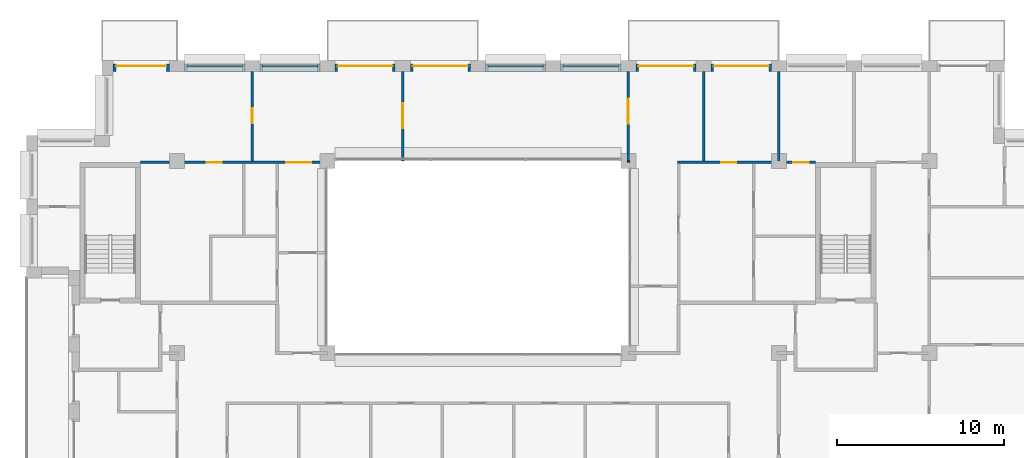
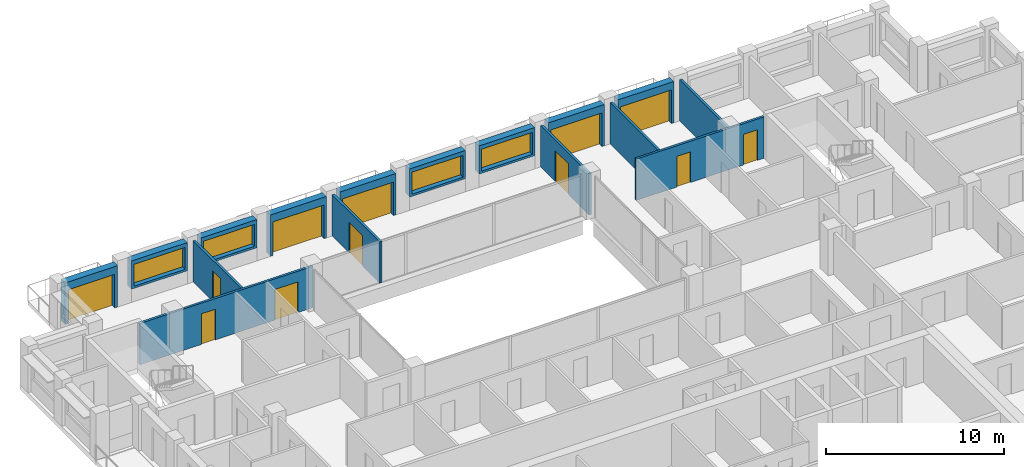
# One storey, part 13 of 15: 17 walls, 12 doors, 4 windows, 16 openings.
"""IFC4 building model written with IfcOpenShell, lengths in metres."""

from ifc_helpers import new_model, si_unit, direction, frame, frame_2d, origin, place, context, subcontext, project, spatial, rectangle, extrude, material, layer, layer_set, type_object, element, fill, save


model = new_model("IFC4")

# Units and contexts
model_context = context("Model", 3, precision=1e-05, world=origin(), true_north=direction((0.0, 1.0)))
body_context = subcontext(model_context, "Body", "Model", "MODEL_VIEW")
ifc_project = project(units=[si_unit("LENGTHUNIT", "METRE"), si_unit("AREAUNIT", "SQUARE_METRE"), si_unit("VOLUMEUNIT", "CUBIC_METRE"), si_unit("PLANEANGLEUNIT", "RADIAN"), si_unit("MASSUNIT", "GRAM", prefix="KILO")], contexts=[model_context])

# Site, building, storey
site_placement = place(None, origin())
site = spatial("IfcSite", under=ifc_project, at=site_placement, CompositionType="ELEMENT")
building_placement = place(site_placement, origin())
building = spatial("IfcBuilding", under=site, at=building_placement, Name="Brigalow Station Residences", CompositionType="ELEMENT")
storey_placement = place(building_placement, frame((0.0, 0.0, 220.050048828125)))
storey = spatial("IfcBuildingStorey", under=building, at=storey_placement, Name="L63", CompositionType="ELEMENT", Elevation=220.050048828125)

# Wall, opening, door
ifc_material_1 = material(Name="Clay brick masonry", Category="masonry")
ifc_layer_1 = layer(ifc_material_1, 0.449951171875)
ifc_layer_set_1 = layer_set([ifc_layer_1], Name="BRICK INFILL WALL 450")
wall_type_1 = type_object("IfcWallType", Name="BRICK INFILL WALL 450", PredefinedType="SOLIDWALL", material=ifc_layer_set_1)
wall_1_placement = place(storey_placement, frame((53.550048828125, 41.074951171875, 0.0), z_axis=(0.0, 0.0, 1.0), x_axis=(-1.0, 0.0, 0.0)))
wall_1 = element("IfcWall", 1, at=wall_1_placement, inside=storey, type_object=wall_type_1, Name="L63/ewall/W-L63-23", PredefinedType="SOLIDWALL", context=body_context, shape_type="SweptSolid", body=[
    extrude(rectangle(XDim=3.60009765625, YDim=0.449951171875, at=frame_2d((1.800048828125, 0.0))), origin(), (0.0, 0.0, 1.0), 2.829833984375),
])
opening_1_placement = place(wall_1_placement, frame((0.14990234375, 0.0, 0.0)))
opening_1 = element("IfcOpeningElement", 2, at=opening_1_placement, cuts=wall_1, Name="Opening D-B3300", PredefinedType="OPENING", context=body_context, shape_type="SweptSolid", body=[
    extrude(rectangle(XDim=3.300048828125, YDim=2.300048828125, at=frame_2d((1.64990234375, 1.14990234375))), frame((0.0, 0.23486328125, 0.0), z_axis=(0.0, -1.0, 0.0), x_axis=(1.0, 0.0, 0.0)), (0.0, 0.0, 1.0), 0.469970703125),
])
ifc_material_2 = material(Name="Anodised aluminium frame with double glazing", Category="aluminium")
door_type_1 = type_object("IfcDoorType", Name="BALCONY SLIDING DOOR 3300x2300", OperationType="SLIDING_TO_LEFT", PredefinedType="DOOR", material=ifc_material_2)
door_1_placement = place(opening_1_placement, origin())
door_1 = element("IfcDoor", 3, at=door_1_placement, inside=storey, type_object=door_type_1, Name="L63/balcony-door/W-L63-23", OperationType="SLIDING_TO_LEFT", OverallHeight=2.300048828125, OverallWidth=3.300048828125, PredefinedType="DOOR", context=body_context, shape_type="SweptSolid", body=[
    extrude(rectangle(XDim=3.300048828125, YDim=2.300048828125, at=frame_2d((1.64990234375, 1.14990234375))), frame((0.0, -0.06982421875, 0.0), z_axis=(0.0, -1.0, 0.0), x_axis=(1.0, 0.0, 0.0)), (0.0, 0.0, 1.0), 0.050048828125),
])
fill(opening_1, door_1)

wall_2_placement = place(storey_placement, frame((49.050048828125, 41.074951171875, 0.0), z_axis=(0.0, 0.0, 1.0), x_axis=(-1.0, 0.0, 0.0)))
wall_2 = element("IfcWall", 4, at=wall_2_placement, inside=storey, type_object=wall_type_1, Name="L63/ewall/W-L63-24", PredefinedType="SOLIDWALL", context=body_context, shape_type="SweptSolid", body=[
    extrude(rectangle(XDim=3.60009765625, YDim=0.449951171875, at=frame_2d((1.800048828125, 0.0))), origin(), (0.0, 0.0, 1.0), 2.829833984375),
])
opening_2_placement = place(wall_2_placement, frame((0.14990234375, 0.0, 0.0)))
opening_2 = element("IfcOpeningElement", 5, at=opening_2_placement, cuts=wall_2, Name="Opening D-B3300", PredefinedType="OPENING", context=body_context, shape_type="SweptSolid", body=[
    extrude(rectangle(XDim=3.300048828125, YDim=2.300048828125, at=frame_2d((1.64990234375, 1.14990234375))), frame((0.0, 0.23486328125, 0.0), z_axis=(0.0, -1.0, 0.0), x_axis=(1.0, 0.0, 0.0)), (0.0, 0.0, 1.0), 0.469970703125),
])
door_2_placement = place(opening_2_placement, origin())
door_2 = element("IfcDoor", 6, at=door_2_placement, inside=storey, type_object=door_type_1, Name="L63/balcony-door/W-L63-24", OperationType="SLIDING_TO_LEFT", OverallHeight=2.300048828125, OverallWidth=3.300048828125, PredefinedType="DOOR", context=body_context, shape_type="SweptSolid", body=[
    extrude(rectangle(XDim=3.300048828125, YDim=2.300048828125, at=frame_2d((1.64990234375, 1.14990234375))), frame((0.0, -0.06982421875, 0.0), z_axis=(0.0, -1.0, 0.0), x_axis=(1.0, 0.0, 0.0)), (0.0, 0.0, 1.0), 0.050048828125),
])
fill(opening_2, door_2)

# Wall, opening, window
wall_3_placement = place(storey_placement, frame((44.550048828125, 41.074951171875, 0.89990234375), z_axis=(0.0, 0.0, 1.0), x_axis=(-1.0, 0.0, 0.0)))
wall_3 = element("IfcWall", 7, at=wall_3_placement, inside=storey, type_object=wall_type_1, Name="L63/ewall/W-L63-25", PredefinedType="SOLIDWALL", context=body_context, shape_type="SweptSolid", body=[
    extrude(rectangle(XDim=3.60009765625, YDim=0.449951171875, at=frame_2d((1.800048828125, 0.0))), origin(), (0.0, 0.0, 1.0), 1.929931640625),
])
opening_3_placement = place(wall_3_placement, frame((0.14990234375, 0.0, 0.14990234375)))
opening_3 = element("IfcOpeningElement", 8, at=opening_3_placement, cuts=wall_3, Name="Opening WT-10", PredefinedType="OPENING", context=body_context, shape_type="SweptSolid", body=[
    extrude(rectangle(XDim=3.300048828125, YDim=1.5, at=frame_2d((1.64990234375, 0.75))), frame((0.0, 0.23486328125, 0.0), z_axis=(0.0, -1.0, 0.0), x_axis=(1.0, 0.0, 0.0)), (0.0, 0.0, 1.0), 0.469970703125),
])
ifc_material_3 = material(Name="Anodised aluminium frame with double glazing", Category="aluminium")
window_type = type_object("IfcWindowType", Name="WINDOW 3300x1500", PartitioningType="SINGLE_PANEL", PredefinedType="WINDOW", material=ifc_material_3)
window_1_placement = place(opening_3_placement, origin())
window_1 = element("IfcWindow", 9, at=window_1_placement, inside=storey, type_object=window_type, Name="L63/window/W-L63-25", OverallHeight=1.5, OverallWidth=3.300048828125, PartitioningType="SINGLE_PANEL", PredefinedType="WINDOW", context=body_context, shape_type="SweptSolid", body=[
    extrude(rectangle(XDim=3.300048828125, YDim=1.5, at=frame_2d((1.64990234375, 0.75))), frame((0.0, -0.06494140625, 0.0), z_axis=(0.0, -1.0, 0.0), x_axis=(1.0, 0.0, 0.0)), (0.0, 0.0, 1.0), 0.06005859375),
])
fill(opening_3, window_1)

wall_4_placement = place(storey_placement, frame((40.050048828125, 41.074951171875, 0.89990234375), z_axis=(0.0, 0.0, 1.0), x_axis=(-1.0, 0.0, 0.0)))
wall_4 = element("IfcWall", 10, at=wall_4_placement, inside=storey, type_object=wall_type_1, Name="L63/ewall/W-L63-26", PredefinedType="SOLIDWALL", context=body_context, shape_type="SweptSolid", body=[
    extrude(rectangle(XDim=3.60009765625, YDim=0.449951171875, at=frame_2d((1.800048828125, 0.0))), origin(), (0.0, 0.0, 1.0), 1.929931640625),
])
opening_4_placement = place(wall_4_placement, frame((0.14990234375, 0.0, 0.14990234375)))
opening_4 = element("IfcOpeningElement", 11, at=opening_4_placement, cuts=wall_4, Name="Opening WT-10", PredefinedType="OPENING", context=body_context, shape_type="SweptSolid", body=[
    extrude(rectangle(XDim=3.300048828125, YDim=1.5, at=frame_2d((1.64990234375, 0.75))), frame((0.0, 0.23486328125, 0.0), z_axis=(0.0, -1.0, 0.0), x_axis=(1.0, 0.0, 0.0)), (0.0, 0.0, 1.0), 0.469970703125),
])
window_2_placement = place(opening_4_placement, origin())
window_2 = element("IfcWindow", 12, at=window_2_placement, inside=storey, type_object=window_type, Name="L63/window/W-L63-26", OverallHeight=1.5, OverallWidth=3.300048828125, PartitioningType="SINGLE_PANEL", PredefinedType="WINDOW", context=body_context, shape_type="SweptSolid", body=[
    extrude(rectangle(XDim=3.300048828125, YDim=1.5, at=frame_2d((1.64990234375, 0.75))), frame((0.0, -0.06494140625, 0.0), z_axis=(0.0, -1.0, 0.0), x_axis=(1.0, 0.0, 0.0)), (0.0, 0.0, 1.0), 0.06005859375),
])
fill(opening_4, window_2)

# Wall, opening, door
wall_5_placement = place(storey_placement, frame((35.550048828125, 41.074951171875, 0.0), z_axis=(0.0, 0.0, 1.0), x_axis=(-1.0, 0.0, 0.0)))
wall_5 = element("IfcWall", 13, at=wall_5_placement, inside=storey, type_object=wall_type_1, Name="L63/ewall/W-L63-27", PredefinedType="SOLIDWALL", context=body_context, shape_type="SweptSolid", body=[
    extrude(rectangle(XDim=3.60009765625, YDim=0.449951171875, at=frame_2d((1.800048828125, 0.0))), origin(), (0.0, 0.0, 1.0), 2.829833984375),
])
opening_5_placement = place(wall_5_placement, frame((0.14990234375, 0.0, 0.0)))
opening_5 = element("IfcOpeningElement", 14, at=opening_5_placement, cuts=wall_5, Name="Opening D-B3300", PredefinedType="OPENING", context=body_context, shape_type="SweptSolid", body=[
    extrude(rectangle(XDim=3.300048828125, YDim=2.300048828125, at=frame_2d((1.64990234375, 1.14990234375))), frame((0.0, 0.23486328125, 0.0), z_axis=(0.0, -1.0, 0.0), x_axis=(1.0, 0.0, 0.0)), (0.0, 0.0, 1.0), 0.469970703125),
])
door_3_placement = place(opening_5_placement, origin())
door_3 = element("IfcDoor", 15, at=door_3_placement, inside=storey, type_object=door_type_1, Name="L63/balcony-door/W-L63-27", OperationType="SLIDING_TO_LEFT", OverallHeight=2.300048828125, OverallWidth=3.300048828125, PredefinedType="DOOR", context=body_context, shape_type="SweptSolid", body=[
    extrude(rectangle(XDim=3.300048828125, YDim=2.300048828125, at=frame_2d((1.64990234375, 1.14990234375))), frame((0.0, -0.06982421875, 0.0), z_axis=(0.0, -1.0, 0.0), x_axis=(1.0, 0.0, 0.0)), (0.0, 0.0, 1.0), 0.050048828125),
])
fill(opening_5, door_3)

wall_6_placement = place(storey_placement, frame((31.050048828125, 41.074951171875, 0.0), z_axis=(0.0, 0.0, 1.0), x_axis=(-1.0, 0.0, 0.0)))
wall_6 = element("IfcWall", 16, at=wall_6_placement, inside=storey, type_object=wall_type_1, Name="L63/ewall/W-L63-28", PredefinedType="SOLIDWALL", context=body_context, shape_type="SweptSolid", body=[
    extrude(rectangle(XDim=3.60009765625, YDim=0.449951171875, at=frame_2d((1.800048828125, 0.0))), origin(), (0.0, 0.0, 1.0), 2.829833984375),
])
opening_6_placement = place(wall_6_placement, frame((0.14990234375, 0.0, 0.0)))
opening_6 = element("IfcOpeningElement", 17, at=opening_6_placement, cuts=wall_6, Name="Opening D-B3300", PredefinedType="OPENING", context=body_context, shape_type="SweptSolid", body=[
    extrude(rectangle(XDim=3.300048828125, YDim=2.300048828125, at=frame_2d((1.64990234375, 1.14990234375))), frame((0.0, 0.23486328125, 0.0), z_axis=(0.0, -1.0, 0.0), x_axis=(1.0, 0.0, 0.0)), (0.0, 0.0, 1.0), 0.469970703125),
])
door_4_placement = place(opening_6_placement, origin())
door_4 = element("IfcDoor", 18, at=door_4_placement, inside=storey, type_object=door_type_1, Name="L63/balcony-door/W-L63-28", OperationType="SLIDING_TO_LEFT", OverallHeight=2.300048828125, OverallWidth=3.300048828125, PredefinedType="DOOR", context=body_context, shape_type="SweptSolid", body=[
    extrude(rectangle(XDim=3.300048828125, YDim=2.300048828125, at=frame_2d((1.64990234375, 1.14990234375))), frame((0.0, -0.06982421875, 0.0), z_axis=(0.0, -1.0, 0.0), x_axis=(1.0, 0.0, 0.0)), (0.0, 0.0, 1.0), 0.050048828125),
])
fill(opening_6, door_4)

# Wall, opening, window
wall_7_placement = place(storey_placement, frame((26.550048828125, 41.074951171875, 0.89990234375), z_axis=(0.0, 0.0, 1.0), x_axis=(-1.0, 0.0, 0.0)))
wall_7 = element("IfcWall", 19, at=wall_7_placement, inside=storey, type_object=wall_type_1, Name="L63/ewall/W-L63-29", PredefinedType="SOLIDWALL", context=body_context, shape_type="SweptSolid", body=[
    extrude(rectangle(XDim=3.60009765625, YDim=0.449951171875, at=frame_2d((1.800048828125, 0.0))), origin(), (0.0, 0.0, 1.0), 1.929931640625),
])
opening_7_placement = place(wall_7_placement, frame((0.14990234375, 0.0, 0.14990234375)))
opening_7 = element("IfcOpeningElement", 20, at=opening_7_placement, cuts=wall_7, Name="Opening WT-10", PredefinedType="OPENING", context=body_context, shape_type="SweptSolid", body=[
    extrude(rectangle(XDim=3.300048828125, YDim=1.5, at=frame_2d((1.64990234375, 0.75))), frame((0.0, 0.23486328125, 0.0), z_axis=(0.0, -1.0, 0.0), x_axis=(1.0, 0.0, 0.0)), (0.0, 0.0, 1.0), 0.469970703125),
])
window_3_placement = place(opening_7_placement, origin())
window_3 = element("IfcWindow", 21, at=window_3_placement, inside=storey, type_object=window_type, Name="L63/window/W-L63-29", OverallHeight=1.5, OverallWidth=3.300048828125, PartitioningType="SINGLE_PANEL", PredefinedType="WINDOW", context=body_context, shape_type="SweptSolid", body=[
    extrude(rectangle(XDim=3.300048828125, YDim=1.5, at=frame_2d((1.64990234375, 0.75))), frame((0.0, -0.06494140625, 0.0), z_axis=(0.0, -1.0, 0.0), x_axis=(1.0, 0.0, 0.0)), (0.0, 0.0, 1.0), 0.06005859375),
])
fill(opening_7, window_3)

wall_8_placement = place(storey_placement, frame((22.050048828125, 41.074951171875, 0.89990234375), z_axis=(0.0, 0.0, 1.0), x_axis=(-1.0, 0.0, 0.0)))
wall_8 = element("IfcWall", 22, at=wall_8_placement, inside=storey, type_object=wall_type_1, Name="L63/ewall/W-L63-30", PredefinedType="SOLIDWALL", context=body_context, shape_type="SweptSolid", body=[
    extrude(rectangle(XDim=3.60009765625, YDim=0.449951171875, at=frame_2d((1.800048828125, 0.0))), origin(), (0.0, 0.0, 1.0), 1.929931640625),
])
opening_8_placement = place(wall_8_placement, frame((0.14990234375, 0.0, 0.14990234375)))
opening_8 = element("IfcOpeningElement", 23, at=opening_8_placement, cuts=wall_8, Name="Opening WT-10", PredefinedType="OPENING", context=body_context, shape_type="SweptSolid", body=[
    extrude(rectangle(XDim=3.300048828125, YDim=1.5, at=frame_2d((1.64990234375, 0.75))), frame((0.0, 0.23486328125, 0.0), z_axis=(0.0, -1.0, 0.0), x_axis=(1.0, 0.0, 0.0)), (0.0, 0.0, 1.0), 0.469970703125),
])
window_4_placement = place(opening_8_placement, origin())
window_4 = element("IfcWindow", 24, at=window_4_placement, inside=storey, type_object=window_type, Name="L63/window/W-L63-30", OverallHeight=1.5, OverallWidth=3.300048828125, PartitioningType="SINGLE_PANEL", PredefinedType="WINDOW", context=body_context, shape_type="SweptSolid", body=[
    extrude(rectangle(XDim=3.300048828125, YDim=1.5, at=frame_2d((1.64990234375, 0.75))), frame((0.0, -0.06494140625, 0.0), z_axis=(0.0, -1.0, 0.0), x_axis=(1.0, 0.0, 0.0)), (0.0, 0.0, 1.0), 0.06005859375),
])
fill(opening_8, window_4)

# Wall, opening, door
wall_9_placement = place(storey_placement, frame((17.550048828125, 41.074951171875, 0.0), z_axis=(0.0, 0.0, 1.0), x_axis=(-1.0, 0.0, 0.0)))
wall_9 = element("IfcWall", 25, at=wall_9_placement, inside=storey, type_object=wall_type_1, Name="L63/ewall/W-L63-31", PredefinedType="SOLIDWALL", context=body_context, shape_type="SweptSolid", body=[
    extrude(rectangle(XDim=3.400146484375, YDim=0.449951171875, at=frame_2d((1.7001953125, 0.0))), origin(), (0.0, 0.0, 1.0), 2.829833984375),
])
opening_9_placement = place(wall_9_placement, frame((0.199951171875, 0.0, 0.0)))
opening_9 = element("IfcOpeningElement", 26, at=opening_9_placement, cuts=wall_9, Name="Opening D-B3000", PredefinedType="OPENING", context=body_context, shape_type="SweptSolid", body=[
    extrude(rectangle(XDim=3.0, YDim=2.300048828125, at=frame_2d((1.5, 1.14990234375))), frame((0.0, 0.23486328125, 0.0), z_axis=(0.0, -1.0, 0.0), x_axis=(1.0, 0.0, 0.0)), (0.0, 0.0, 1.0), 0.469970703125),
])
ifc_material_4 = material(Name="Anodised aluminium frame with double glazing", Category="aluminium")
door_type_2 = type_object("IfcDoorType", Name="BALCONY SLIDING DOOR 3000x2300", OperationType="SLIDING_TO_LEFT", PredefinedType="DOOR", material=ifc_material_4)
door_5_placement = place(opening_9_placement, origin())
door_5 = element("IfcDoor", 27, at=door_5_placement, inside=storey, type_object=door_type_2, Name="L63/balcony-door/W-L63-31", OperationType="SLIDING_TO_LEFT", OverallHeight=2.300048828125, OverallWidth=3.0, PredefinedType="DOOR", context=body_context, shape_type="SweptSolid", body=[
    extrude(rectangle(XDim=3.0, YDim=2.300048828125, at=frame_2d((1.5, 1.14990234375))), frame((0.0, -0.06982421875, 0.0), z_axis=(0.0, -1.0, 0.0), x_axis=(1.0, 0.0, 0.0)), (0.0, 0.0, 1.0), 0.050048828125),
])
fill(opening_9, door_5)

# Wall, openings, doors
ifc_material_5 = material(Name="Plasterboard on steel stud partition", Category="steel")
ifc_layer_2 = layer(ifc_material_5, 0.14990234375)
ifc_layer_set_2 = layer_set([ifc_layer_2], Name="FLAT PARTITION 150")
wall_type_2 = type_object("IfcWallType", Name="FLAT PARTITION 150", PredefinedType="PARTITIONING", material=ifc_layer_set_2)
wall_10_placement = place(storey_placement, frame((15.800048828125, 35.39990234375, 0.0), z_axis=(0.0, 0.0, 1.0), x_axis=(1.0, 0.0, 0.0)))
wall_10 = element("IfcWall", 28, at=wall_10_placement, inside=storey, type_object=wall_type_2, Name="PW-4C14", PredefinedType="PARTITIONING", context=body_context, shape_type="SweptSolid", body=[
    extrude(rectangle(XDim=11.199951171875, YDim=0.14990234375, at=frame_2d((5.60009765625, 0.0))), origin(), (0.0, 0.0, 1.0), 2.829833984375),
])
opening_10_placement = place(wall_10_placement, frame((8.72509765625, 0.0, 0.0)))
opening_10 = element("IfcOpeningElement", 29, at=opening_10_placement, cuts=wall_10, Name="Opening D-4C11", PredefinedType="OPENING", context=body_context, shape_type="SweptSolid", body=[
    extrude(rectangle(XDim=1.5, YDim=2.10009765625, at=frame_2d((0.75, 1.050048828125))), frame((0.0, 0.0849609375, 0.0), z_axis=(0.0, -1.0, 0.0), x_axis=(1.0, 0.0, 0.0)), (0.0, 0.0, 1.0), 0.169921875),
])
opening_11_placement = place(wall_10_placement, frame((3.97509765625, 0.0, 0.0)))
opening_11 = element("IfcOpeningElement", 30, at=opening_11_placement, cuts=wall_10, Name="Opening D-4C12", PredefinedType="OPENING", context=body_context, shape_type="SweptSolid", body=[
    extrude(rectangle(XDim=0.89990234375, YDim=2.10009765625, at=frame_2d((0.449951171875, 1.050048828125))), frame((0.0, 0.0849609375, 0.0), z_axis=(0.0, -1.0, 0.0), x_axis=(1.0, 0.0, 0.0)), (0.0, 0.0, 1.0), 0.169921875),
])
ifc_material_6 = material(Name="Solid-core timber door leaf", Category="wood")
door_type_3 = type_object("IfcDoorType", Name="INTERNAL DOOR 900 x 2100", OperationType="SINGLE_SWING_LEFT", PredefinedType="DOOR", material=ifc_material_6)
door_6_placement = place(opening_11_placement, frame((0.89990234375, 0.0, 0.0), z_axis=(0.0, 0.0, 1.0), x_axis=(-1.0, 0.0, 0.0)))
door_6 = element("IfcDoor", 31, at=door_6_placement, inside=storey, type_object=door_type_3, Name="D-4C12", OperationType="SINGLE_SWING_LEFT", OverallHeight=2.10009765625, OverallWidth=0.89990234375, PredefinedType="DOOR", context=body_context, shape_type="SweptSolid", body=[
    extrude(rectangle(XDim=0.89990234375, YDim=2.10009765625, at=frame_2d((0.449951171875, 1.050048828125))), frame((0.0, 0.02490234375, 0.0), z_axis=(0.0, -1.0, 0.0), x_axis=(1.0, 0.0, 0.0)), (0.0, 0.0, 1.0), 0.050048828125),
])
fill(opening_11, door_6)
ifc_material_7 = material(Name="Solid-core timber door leaf", Category="wood")
door_type_4 = type_object("IfcDoorType", Name="INTERNAL DOUBLE DOOR 1500 x 2100", OperationType="DOUBLE_DOOR_SINGLE_SWING", PredefinedType="DOOR", material=ifc_material_7)
door_7_placement = place(opening_10_placement, origin())
door_7 = element("IfcDoor", 32, at=door_7_placement, inside=storey, type_object=door_type_4, Name="D-4C11", OperationType="DOUBLE_DOOR_SINGLE_SWING", OverallHeight=2.10009765625, OverallWidth=1.5, PredefinedType="DOOR", context=body_context, shape_type="SweptSolid", body=[
    extrude(rectangle(XDim=1.5, YDim=2.10009765625, at=frame_2d((0.75, 1.050048828125))), frame((0.0, 0.02490234375, 0.0), z_axis=(0.0, -1.0, 0.0), x_axis=(1.0, 0.0, 0.0)), (0.0, 0.0, 1.0), 0.050048828125),
])
fill(opening_10, door_7)

wall_11_placement = place(storey_placement, frame((47.925048828125, 35.39990234375, 0.0), z_axis=(0.0, 0.0, 1.0), x_axis=(1.0, 0.0, 0.0)))
wall_11 = element("IfcWall", 33, at=wall_11_placement, inside=storey, type_object=wall_type_2, Name="PW-4C15", PredefinedType="PARTITIONING", context=body_context, shape_type="SweptSolid", body=[
    extrude(rectangle(XDim=8.27490234375, YDim=0.14990234375, at=frame_2d((4.137451171875, 0.0))), origin(), (0.0, 0.0, 1.0), 2.829833984375),
])
opening_12_placement = place(wall_11_placement, frame((2.625, 0.0, 0.0)))
opening_12 = element("IfcOpeningElement", 34, at=opening_12_placement, cuts=wall_11, Name="Opening D-4C19", PredefinedType="OPENING", context=body_context, shape_type="SweptSolid", body=[
    extrude(rectangle(XDim=0.89990234375, YDim=2.10009765625, at=frame_2d((0.449951171875, 1.050048828125))), frame((0.0, 0.0849609375, 0.0), z_axis=(0.0, -1.0, 0.0), x_axis=(1.0, 0.0, 0.0)), (0.0, 0.0, 1.0), 0.169921875),
])
opening_13_placement = place(wall_11_placement, frame((6.949951171875, 0.0, 0.0)))
opening_13 = element("IfcOpeningElement", 35, at=opening_13_placement, cuts=wall_11, Name="Opening D-4C22", PredefinedType="OPENING", context=body_context, shape_type="SweptSolid", body=[
    extrude(rectangle(XDim=0.89990234375, YDim=2.10009765625, at=frame_2d((0.449951171875, 1.050048828125))), frame((0.0, 0.0849609375, 0.0), z_axis=(0.0, -1.0, 0.0), x_axis=(1.0, 0.0, 0.0)), (0.0, 0.0, 1.0), 0.169921875),
])
door_8_placement = place(opening_12_placement, origin())
door_8 = element("IfcDoor", 36, at=door_8_placement, inside=storey, type_object=door_type_3, Name="D-4C19", OperationType="SINGLE_SWING_LEFT", OverallHeight=2.10009765625, OverallWidth=0.89990234375, PredefinedType="DOOR", context=body_context, shape_type="SweptSolid", body=[
    extrude(rectangle(XDim=0.89990234375, YDim=2.10009765625, at=frame_2d((0.449951171875, 1.050048828125))), frame((0.0, 0.02490234375, 0.0), z_axis=(0.0, -1.0, 0.0), x_axis=(1.0, 0.0, 0.0)), (0.0, 0.0, 1.0), 0.050048828125),
])
fill(opening_12, door_8)
door_9_placement = place(opening_13_placement, origin())
door_9 = element("IfcDoor", 37, at=door_9_placement, inside=storey, type_object=door_type_3, Name="D-4C22", OperationType="SINGLE_SWING_LEFT", OverallHeight=2.10009765625, OverallWidth=0.89990234375, PredefinedType="DOOR", context=body_context, shape_type="SweptSolid", body=[
    extrude(rectangle(XDim=0.89990234375, YDim=2.10009765625, at=frame_2d((0.449951171875, 1.050048828125))), frame((0.0, 0.02490234375, 0.0), z_axis=(0.0, -1.0, 0.0), x_axis=(1.0, 0.0, 0.0)), (0.0, 0.0, 1.0), 0.050048828125),
])
fill(opening_13, door_9)

# Wall
wall_12_placement = place(storey_placement, frame((54.0, 35.47509765625, 0.0), z_axis=(0.0, 0.0, 1.0), x_axis=(0.0, 1.0, 0.0)))
element("IfcWall", 38, at=wall_12_placement, inside=storey, type_object=wall_type_2, Name="PW-4C28", PredefinedType="PARTITIONING", context=body_context, shape_type="SweptSolid", body=[
    extrude(rectangle(XDim=5.375, YDim=0.14990234375, at=frame_2d((2.6875, 0.0))), origin(), (0.0, 0.0, 1.0), 2.829833984375),
])

# Wall, opening, door
wall_13_placement = place(storey_placement, frame((22.5, 35.47509765625, 0.0), z_axis=(0.0, 0.0, 1.0), x_axis=(0.0, 1.0, 0.0)))
wall_13 = element("IfcWall", 39, at=wall_13_placement, inside=storey, type_object=wall_type_2, Name="PW-4C39", PredefinedType="PARTITIONING", context=body_context, shape_type="SweptSolid", body=[
    extrude(rectangle(XDim=5.375, YDim=0.14990234375, at=frame_2d((2.6875, 0.0))), origin(), (0.0, 0.0, 1.0), 2.829833984375),
])
opening_14_placement = place(wall_13_placement, frame((2.27490234375, 0.0, 0.0)))
opening_14 = element("IfcOpeningElement", 40, at=opening_14_placement, cuts=wall_13, Name="Opening D-4C14", PredefinedType="OPENING", context=body_context, shape_type="SweptSolid", body=[
    extrude(rectangle(XDim=0.89990234375, YDim=2.10009765625, at=frame_2d((0.449951171875, 1.050048828125))), frame((0.0, 0.0849609375, 0.0), z_axis=(0.0, -1.0, 0.0), x_axis=(1.0, 0.0, 0.0)), (0.0, 0.0, 1.0), 0.169921875),
])
door_10_placement = place(opening_14_placement, frame((0.89990234375, 0.0, 0.0), z_axis=(0.0, 0.0, 1.0), x_axis=(-1.0, 0.0, 0.0)))
door_10 = element("IfcDoor", 41, at=door_10_placement, inside=storey, type_object=door_type_3, Name="D-4C14", OperationType="SINGLE_SWING_LEFT", OverallHeight=2.10009765625, OverallWidth=0.89990234375, PredefinedType="DOOR", context=body_context, shape_type="SweptSolid", body=[
    extrude(rectangle(XDim=0.89990234375, YDim=2.10009765625, at=frame_2d((0.449951171875, 1.050048828125))), frame((0.0, 0.02490234375, 0.0), z_axis=(0.0, -1.0, 0.0), x_axis=(1.0, 0.0, 0.0)), (0.0, 0.0, 1.0), 0.050048828125),
])
fill(opening_14, door_10)

wall_14_placement = place(storey_placement, frame((31.5, 35.5, 0.0), z_axis=(0.0, 0.0, 1.0), x_axis=(0.0, 1.0, 0.0)))
wall_14 = element("IfcWall", 42, at=wall_14_placement, inside=storey, type_object=wall_type_2, Name="PW-4C40", PredefinedType="PARTITIONING", context=body_context, shape_type="SweptSolid", body=[
    extrude(rectangle(XDim=5.35009765625, YDim=0.14990234375, at=frame_2d((2.675048828125, 0.0))), origin(), (0.0, 0.0, 1.0), 2.829833984375),
])
opening_15_placement = place(wall_14_placement, frame((1.949951171875, 0.0, 0.0)))
opening_15 = element("IfcOpeningElement", 43, at=opening_15_placement, cuts=wall_14, Name="Opening D-4C15", PredefinedType="OPENING", context=body_context, shape_type="SweptSolid", body=[
    extrude(rectangle(XDim=1.5, YDim=2.10009765625, at=frame_2d((0.75, 1.050048828125))), frame((0.0, 0.0849609375, 0.0), z_axis=(0.0, -1.0, 0.0), x_axis=(1.0, 0.0, 0.0)), (0.0, 0.0, 1.0), 0.169921875),
])
door_11_placement = place(opening_15_placement, origin())
door_11 = element("IfcDoor", 44, at=door_11_placement, inside=storey, type_object=door_type_4, Name="D-4C15", OperationType="DOUBLE_DOOR_SINGLE_SWING", OverallHeight=2.10009765625, OverallWidth=1.5, PredefinedType="DOOR", context=body_context, shape_type="SweptSolid", body=[
    extrude(rectangle(XDim=1.5, YDim=2.10009765625, at=frame_2d((0.75, 1.050048828125))), frame((0.0, 0.02490234375, 0.0), z_axis=(0.0, -1.0, 0.0), x_axis=(1.0, 0.0, 0.0)), (0.0, 0.0, 1.0), 0.050048828125),
])
fill(opening_15, door_11)

# Wall
wall_15_placement = place(storey_placement, frame((45.0, 35.39990234375, 0.0), z_axis=(0.0, 0.0, 1.0), x_axis=(0.0, 1.0, 0.0)))
element("IfcWall", 45, at=wall_15_placement, inside=storey, type_object=wall_type_2, Name="PW-4C41", PredefinedType="PARTITIONING", context=body_context, shape_type="SweptSolid", body=[
    extrude(rectangle(XDim=0.10009765625, YDim=0.14990234375, at=frame_2d((0.050048828125, 0.0))), origin(), (0.0, 0.0, 1.0), 2.829833984375),
])

# Wall, opening, door
wall_16_placement = place(storey_placement, frame((45.0, 35.5, 0.0), z_axis=(0.0, 0.0, 1.0), x_axis=(0.0, 1.0, 0.0)))
wall_16 = element("IfcWall", 46, at=wall_16_placement, inside=storey, type_object=wall_type_2, Name="PW-4C42", PredefinedType="PARTITIONING", context=body_context, shape_type="SweptSolid", body=[
    extrude(rectangle(XDim=5.35009765625, YDim=0.14990234375, at=frame_2d((2.675048828125, 0.0))), origin(), (0.0, 0.0, 1.0), 2.829833984375),
])
opening_16_placement = place(wall_16_placement, frame((2.22509765625, 0.0, 0.0)))
opening_16 = element("IfcOpeningElement", 47, at=opening_16_placement, cuts=wall_16, Name="Opening D-4C16", PredefinedType="OPENING", context=body_context, shape_type="SweptSolid", body=[
    extrude(rectangle(XDim=1.5, YDim=2.10009765625, at=frame_2d((0.75, 1.050048828125))), frame((0.0, 0.0849609375, 0.0), z_axis=(0.0, -1.0, 0.0), x_axis=(1.0, 0.0, 0.0)), (0.0, 0.0, 1.0), 0.169921875),
])
door_12_placement = place(opening_16_placement, frame((1.5, 0.0, 0.0), z_axis=(0.0, 0.0, 1.0), x_axis=(-1.0, 0.0, 0.0)))
door_12 = element("IfcDoor", 48, at=door_12_placement, inside=storey, type_object=door_type_4, Name="D-4C16", OperationType="DOUBLE_DOOR_SINGLE_SWING", OverallHeight=2.10009765625, OverallWidth=1.5, PredefinedType="DOOR", context=body_context, shape_type="SweptSolid", body=[
    extrude(rectangle(XDim=1.5, YDim=2.10009765625, at=frame_2d((0.75, 1.050048828125))), frame((0.0, 0.02490234375, 0.0), z_axis=(0.0, -1.0, 0.0), x_axis=(1.0, 0.0, 0.0)), (0.0, 0.0, 1.0), 0.050048828125),
])
fill(opening_16, door_12)

# Wall
wall_17_placement = place(storey_placement, frame((49.5, 35.47509765625, 0.0), z_axis=(0.0, 0.0, 1.0), x_axis=(0.0, 1.0, 0.0)))
element("IfcWall", 49, at=wall_17_placement, inside=storey, type_object=wall_type_2, Name="PW-4C43", PredefinedType="PARTITIONING", context=body_context, shape_type="SweptSolid", body=[
    extrude(rectangle(XDim=5.375, YDim=0.14990234375, at=frame_2d((2.6875, 0.0))), origin(), (0.0, 0.0, 1.0), 2.829833984375),
])

save(model, "model.ifc")
